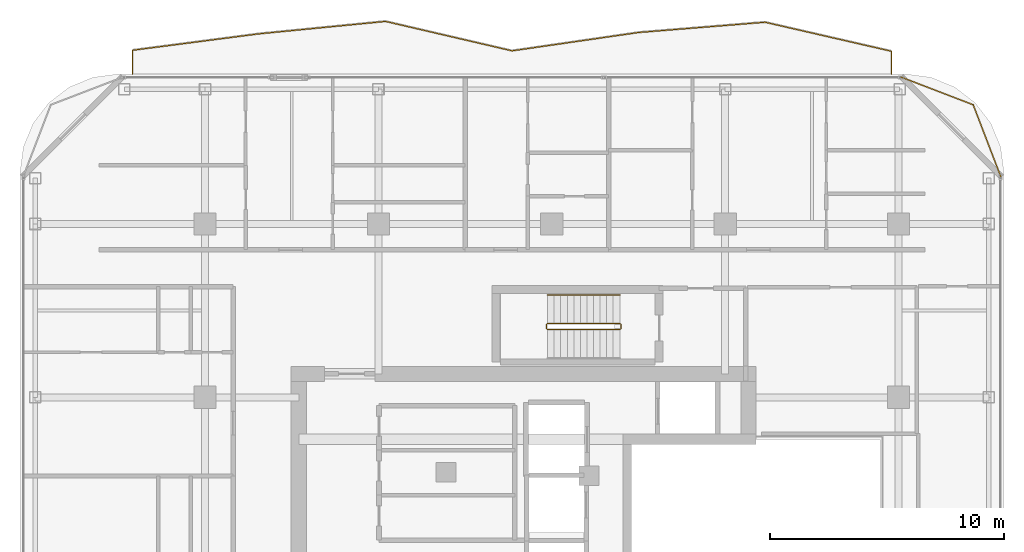
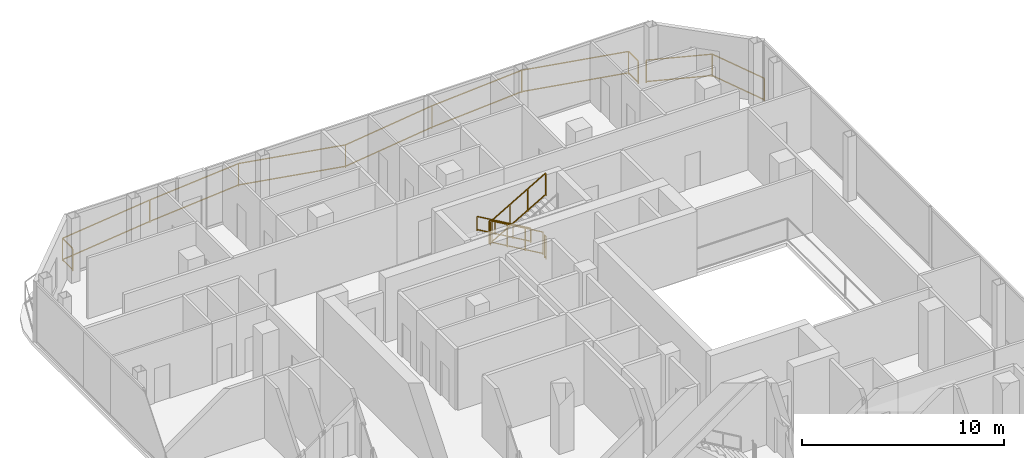
# One storey, part 23 of 23: 7 railings.
"""IFC4 building model written with IfcOpenShell, lengths in metres."""

from ifc_helpers import new_model, si_unit, direction, frame, origin, origin_2d, place, context, subcontext, project, spatial, rectangle, extrude, material, type_object, element, save


model = new_model("IFC4")

# Units and contexts
model_context = context("Model", 3, precision=1e-05, world=origin(), true_north=direction((0.0, 1.0)))
body_context = subcontext(model_context, "Body", "Model", "MODEL_VIEW")
ifc_project = project(units=[si_unit("LENGTHUNIT", "METRE"), si_unit("AREAUNIT", "SQUARE_METRE"), si_unit("VOLUMEUNIT", "CUBIC_METRE"), si_unit("PLANEANGLEUNIT", "RADIAN"), si_unit("MASSUNIT", "GRAM", prefix="KILO")], contexts=[model_context])

# Site, building, storey
site_placement = place(None, origin())
site = spatial("IfcSite", under=ifc_project, at=site_placement, CompositionType="ELEMENT")
building_placement = place(site_placement, origin())
building = spatial("IfcBuilding", under=site, at=building_placement, Name="Khorvyn Point Tower", CompositionType="ELEMENT")
storey_placement = place(building_placement, frame((0.0, 0.0, 293.699951171875)))
storey = spatial("IfcBuildingStorey", under=building, at=storey_placement, Name="L72", CompositionType="ELEMENT", Elevation=293.699951171875)

# Railings
ifc_material_1 = material(Name="Anodised aluminium 6063-T6 and laminated safety glass", Category="aluminium")
railing_type_1 = type_object("IfcRailingType", Name="Laminated Glass and Aluminium Balcony Guardrail 1400", PredefinedType="BALUSTRADE", material=ifc_material_1)
railing_1_placement = place(storey_placement, frame((19.17431640625, 16.78662109375, 0.0)))
element("IfcRailing", 1, at=railing_1_placement, inside=storey, type_object=railing_type_1, Name="L72 Rounded Corner Edge Guardrail NE", PredefinedType="BALUSTRADE", context=body_context, shape_type="SweptSolid", body=[
    extrude(rectangle(XDim=0.048095703125, YDim=0.048095703125, at=origin_2d()), frame((0.0, 0.0, 1.3759765625), z_axis=(-0.358328295484, 0.933595647299, 0.0), x_axis=(-0.933595647299, -0.358328295484, 0.0)), (0.0, 0.0, 1.0), 3.31884765625),
    extrude(rectangle(XDim=0.048095703125, YDim=0.048095703125, at=origin_2d()), frame((0.0, 0.0, 0.080078125), z_axis=(-0.358328295484, 0.933595647299, 0.0), x_axis=(-0.933595647299, -0.358328295484, 0.0)), (0.0, 0.0, 1.0), 3.31884765625),
    extrude(rectangle(XDim=0.048095703125, YDim=0.048095703125, at=origin_2d()), frame((-1.189208984375, 3.098388671875, 1.3759765625), z_axis=(-0.933580483903, 0.358367799998, 0.0), x_axis=(-0.358367799998, -0.933580483903, 0.0)), (0.0, 0.0, 1.0), 3.319091796875),
    extrude(rectangle(XDim=0.048095703125, YDim=0.048095703125, at=origin_2d()), frame((-1.189208984375, 3.098388671875, 0.080078125), z_axis=(-0.933580483903, 0.358367799998, 0.0), x_axis=(-0.358367799998, -0.933580483903, 0.0)), (0.0, 0.0, 1.0), 3.319091796875),
    extrude(rectangle(XDim=0.0419921875, YDim=0.0419921875, at=origin_2d()), origin(), (0.0, 0.0, 1.0), 1.351806640625),
    extrude(rectangle(XDim=0.0419921875, YDim=0.0419921875, at=origin_2d()), frame((-1.189208984375, 3.098388671875, 0.0)), (0.0, 0.0, 1.0), 1.351806640625),
    extrude(rectangle(XDim=0.0419921875, YDim=0.0419921875, at=origin_2d()), frame((-4.287841796875, 4.287841796875, 0.0)), (0.0, 0.0, 1.0), 1.351806640625),
])
railing_2_placement = place(storey_placement, frame((14.5, 21.199951171875, 0.0)))
element("IfcRailing", 2, at=railing_2_placement, inside=storey, type_object=railing_type_1, Name="L72 North Balcony Guardrail", PredefinedType="BALUSTRADE", context=body_context, shape_type="SweptSolid", body=[
    extrude(rectangle(XDim=0.048095703125, YDim=0.048095703125, at=origin_2d()), frame((0.0, 0.0, 1.3759765625), z_axis=(0.0, 1.0, 0.0), x_axis=(-1.0, 0.0, 0.0)), (0.0, 0.0, 1.0), 0.968017578125),
    extrude(rectangle(XDim=0.048095703125, YDim=0.048095703125, at=origin_2d()), frame((0.0, 0.0, 0.080078125), z_axis=(0.0, 1.0, 0.0), x_axis=(-1.0, 0.0, 0.0)), (0.0, 0.0, 1.0), 0.968017578125),
    extrude(rectangle(XDim=0.048095703125, YDim=0.048095703125, at=origin_2d()), frame((0.0, 0.968017578125, 1.3759765625), z_axis=(-0.974604637949, 0.223932578445, 0.0), x_axis=(-0.223932578445, -0.974604637949, 0.0)), (0.0, 0.0, 1.0), 5.54052734375),
    extrude(rectangle(XDim=0.048095703125, YDim=0.048095703125, at=origin_2d()), frame((0.0, 0.968017578125, 0.080078125), z_axis=(-0.974604637949, 0.223932578445, 0.0), x_axis=(-0.223932578445, -0.974604637949, 0.0)), (0.0, 0.0, 1.0), 5.54052734375),
    extrude(rectangle(XDim=0.048095703125, YDim=0.048095703125, at=origin_2d()), frame((-5.39990234375, 2.208740234375, 1.3759765625), z_axis=(-0.996730617582, -0.080796509667, 0.0), x_axis=(0.080796509667, -0.996730617582, 0.0)), (0.0, 0.0, 1.0), 5.41796875),
    extrude(rectangle(XDim=0.048095703125, YDim=0.048095703125, at=origin_2d()), frame((-5.39990234375, 2.208740234375, 0.080078125), z_axis=(-0.996730617582, -0.080796509667, 0.0), x_axis=(0.080796509667, -0.996730617582, 0.0)), (0.0, 0.0, 1.0), 5.41796875),
    extrude(rectangle(XDim=0.048095703125, YDim=0.048095703125, at=origin_2d()), frame((-10.800048828125, 1.77099609375, 1.3759765625), z_axis=(-0.989644760952, -0.143538312376, 0.0), x_axis=(0.143538312376, -0.989644760952, 0.0)), (0.0, 0.0, 1.0), 5.456298828125),
    extrude(rectangle(XDim=0.048095703125, YDim=0.048095703125, at=origin_2d()), frame((-10.800048828125, 1.77099609375, 0.080078125), z_axis=(-0.989644760952, -0.143538312376, 0.0), x_axis=(0.143538312376, -0.989644760952, 0.0)), (0.0, 0.0, 1.0), 5.456298828125),
    extrude(rectangle(XDim=0.048095703125, YDim=0.048095703125, at=origin_2d()), frame((-16.199951171875, 0.98779296875, 1.3759765625), z_axis=(-0.973988141336, 0.22659898618, 0.0), x_axis=(-0.22659898618, -0.973988141336, 0.0)), (0.0, 0.0, 1.0), 5.54443359375),
    extrude(rectangle(XDim=0.048095703125, YDim=0.048095703125, at=origin_2d()), frame((-16.199951171875, 0.98779296875, 0.080078125), z_axis=(-0.973988141336, 0.22659898618, 0.0), x_axis=(-0.22659898618, -0.973988141336, 0.0)), (0.0, 0.0, 1.0), 5.54443359375),
    extrude(rectangle(XDim=0.048095703125, YDim=0.048095703125, at=origin_2d()), frame((-21.60009765625, 2.244140625, 1.3759765625), z_axis=(-0.995221668741, -0.097641333808, 0.0), x_axis=(0.097641333808, -0.995221668741, 0.0)), (0.0, 0.0, 1.0), 5.42578125),
    extrude(rectangle(XDim=0.048095703125, YDim=0.048095703125, at=origin_2d()), frame((-21.60009765625, 2.244140625, 0.080078125), z_axis=(-0.995221668741, -0.097641333808, 0.0), x_axis=(0.097641333808, -0.995221668741, 0.0)), (0.0, 0.0, 1.0), 5.42578125),
    extrude(rectangle(XDim=0.048095703125, YDim=0.048095703125, at=origin_2d()), frame((-27.0, 1.71435546875, 1.3759765625), z_axis=(-0.991634626797, -0.129076593297, 0.0), x_axis=(0.129076593297, -0.991634626797, 0.0)), (0.0, 0.0, 1.0), 5.445556640625),
    extrude(rectangle(XDim=0.048095703125, YDim=0.048095703125, at=origin_2d()), frame((-27.0, 1.71435546875, 0.080078125), z_axis=(-0.991634626797, -0.129076593297, 0.0), x_axis=(0.129076593297, -0.991634626797, 0.0)), (0.0, 0.0, 1.0), 5.445556640625),
    extrude(rectangle(XDim=0.048095703125, YDim=0.048095703125, at=origin_2d()), frame((-32.39990234375, 1.011474609375, 1.3759765625), z_axis=(0.0, -1.0, 0.0), x_axis=(1.0, 0.0, 0.0)), (0.0, 0.0, 1.0), 1.011474609375),
    extrude(rectangle(XDim=0.048095703125, YDim=0.048095703125, at=origin_2d()), frame((-32.39990234375, 1.011474609375, 0.080078125), z_axis=(0.0, -1.0, 0.0), x_axis=(1.0, 0.0, 0.0)), (0.0, 0.0, 1.0), 1.011474609375),
    extrude(rectangle(XDim=0.0419921875, YDim=0.0419921875, at=origin_2d()), origin(), (0.0, 0.0, 1.0), 1.351806640625),
    extrude(rectangle(XDim=0.0419921875, YDim=0.0419921875, at=origin_2d()), frame((0.0, 0.968017578125, 0.0)), (0.0, 0.0, 1.0), 1.351806640625),
    extrude(rectangle(XDim=0.0419921875, YDim=0.0419921875, at=origin_2d()), frame((-5.39990234375, 2.208740234375, 0.0)), (0.0, 0.0, 1.0), 1.351806640625),
    extrude(rectangle(XDim=0.0419921875, YDim=0.0419921875, at=origin_2d()), frame((-10.800048828125, 1.77099609375, 0.0)), (0.0, 0.0, 1.0), 1.351806640625),
    extrude(rectangle(XDim=0.0419921875, YDim=0.0419921875, at=origin_2d()), frame((-16.199951171875, 0.98779296875, 0.0)), (0.0, 0.0, 1.0), 1.351806640625),
    extrude(rectangle(XDim=0.0419921875, YDim=0.0419921875, at=origin_2d()), frame((-21.60009765625, 2.244140625, 0.0)), (0.0, 0.0, 1.0), 1.351806640625),
    extrude(rectangle(XDim=0.0419921875, YDim=0.0419921875, at=origin_2d()), frame((-27.0, 1.71435546875, 0.0)), (0.0, 0.0, 1.0), 1.351806640625),
    extrude(rectangle(XDim=0.0419921875, YDim=0.0419921875, at=origin_2d()), frame((-32.39990234375, 1.011474609375, 0.0)), (0.0, 0.0, 1.0), 1.351806640625),
    extrude(rectangle(XDim=0.0419921875, YDim=0.0419921875, at=origin_2d()), frame((-32.39990234375, 0.0, 0.0)), (0.0, 0.0, 1.0), 1.351806640625),
])
ifc_material_2 = material(Name="Stainless steel 1.4301", Category="steel")
railing_type_2 = type_object("IfcRailingType", Name="Stainless Steel 304 Stair Pitch Handrail 900", PredefinedType="HANDRAIL", material=ifc_material_2)
railing_3_placement = place(storey_placement, frame((2.89990234375, 11.77001953125, 0.16259765625)))
element("IfcRailing", 3, at=railing_3_placement, inside=storey, type_object=railing_type_2, Name="L72 ST-02 stair handrail 1", PredefinedType="HANDRAIL", context=body_context, shape_type="SweptSolid", body=[
    extrude(rectangle(XDim=0.048095703125, YDim=0.048095703125, at=origin_2d()), frame((0.0, 0.0, 0.8759765625), z_axis=(-0.864903211148, 0.0, 0.501938676878), x_axis=(0.0, -1.0, 0.0)), (0.0, 0.0, 1.0), 3.560791015625),
    extrude(rectangle(XDim=0.048095703125, YDim=0.048095703125, at=origin_2d()), frame((0.0, 0.0, 0.080078125), z_axis=(-0.864903211148, 0.0, 0.501938676878), x_axis=(0.0, -1.0, 0.0)), (0.0, 0.0, 1.0), 3.560791015625),
    extrude(rectangle(XDim=0.0419921875, YDim=0.0419921875, at=origin_2d()), origin(), (0.0, 0.0, 1.0), 0.851806640625),
    extrude(rectangle(XDim=0.0419921875, YDim=0.0419921875, at=origin_2d()), frame((-1.026611328125, 0.0, 0.595703125)), (0.0, 0.0, 1.0), 0.851806640625),
    extrude(rectangle(XDim=0.0419921875, YDim=0.0419921875, at=origin_2d()), frame((-2.05322265625, 0.0, 1.191650390625)), (0.0, 0.0, 1.0), 0.851806640625),
    extrude(rectangle(XDim=0.0419921875, YDim=0.0419921875, at=origin_2d()), frame((-3.079833984375, 0.0, 1.787353515625)), (0.0, 0.0, 1.0), 0.851806640625),
])
railing_type_3 = type_object("IfcRailingType", Name="Stainless Steel 304 Stair Well Guardrail 1400", PredefinedType="GUARDRAIL", material=ifc_material_2)
railing_4_placement = place(storey_placement, frame((2.89990234375, 10.550048828125, 0.16259765625)))
element("IfcRailing", 4, at=railing_4_placement, inside=storey, type_object=railing_type_3, Name="L72 ST-02 stair guard 1", PredefinedType="GUARDRAIL", context=body_context, shape_type="SweptSolid", body=[
    extrude(rectangle(XDim=0.048095703125, YDim=0.048095703125, at=origin_2d()), frame((0.0, 0.0, 1.3759765625), z_axis=(-0.864903211148, 0.0, 0.501938676878), x_axis=(0.0, -1.0, 0.0)), (0.0, 0.0, 1.0), 3.560791015625),
    extrude(rectangle(XDim=0.048095703125, YDim=0.048095703125, at=origin_2d()), frame((0.0, 0.0, 0.080078125), z_axis=(-0.864903211148, 0.0, 0.501938676878), x_axis=(0.0, -1.0, 0.0)), (0.0, 0.0, 1.0), 3.560791015625),
    extrude(rectangle(XDim=0.0419921875, YDim=0.0419921875, at=origin_2d()), origin(), (0.0, 0.0, 1.0), 1.351806640625),
    extrude(rectangle(XDim=0.0419921875, YDim=0.0419921875, at=origin_2d()), frame((-1.026611328125, 0.0, 0.595703125)), (0.0, 0.0, 1.0), 1.351806640625),
    extrude(rectangle(XDim=0.0419921875, YDim=0.0419921875, at=origin_2d()), frame((-2.05322265625, 0.0, 1.191650390625)), (0.0, 0.0, 1.0), 1.351806640625),
    extrude(rectangle(XDim=0.0419921875, YDim=0.0419921875, at=origin_2d()), frame((-3.079833984375, 0.0, 1.787353515625)), (0.0, 0.0, 1.0), 1.351806640625),
])
railing_5_placement = place(storey_placement, frame((-0.22998046875, 10.5, 1.949951171875)))
element("IfcRailing", 5, at=railing_5_placement, inside=storey, type_object=railing_type_3, Name="L72 ST-02 stair guard 2", PredefinedType="GUARDRAIL", context=body_context, shape_type="SweptSolid", body=[
    extrude(rectangle(XDim=0.048095703125, YDim=0.048095703125, at=origin_2d()), frame((0.0, 0.0, 1.3759765625), z_axis=(0.0, -1.0, 0.0), x_axis=(1.0, 0.0, 0.0)), (0.0, 0.0, 1.0), 0.159912109375),
    extrude(rectangle(XDim=0.048095703125, YDim=0.048095703125, at=origin_2d()), frame((0.0, 0.0, 0.080078125), z_axis=(0.0, -1.0, 0.0), x_axis=(1.0, 0.0, 0.0)), (0.0, 0.0, 1.0), 0.159912109375),
    extrude(rectangle(XDim=0.0419921875, YDim=0.0419921875, at=origin_2d()), origin(), (0.0, 0.0, 1.0), 1.351806640625),
    extrude(rectangle(XDim=0.0419921875, YDim=0.0419921875, at=origin_2d()), frame((0.0, -0.159912109375, 0.0)), (0.0, 0.0, 1.0), 1.351806640625),
])
railing_6_placement = place(storey_placement, frame((-0.179931640625, 10.2900390625, 2.112548828125)))
element("IfcRailing", 6, at=railing_6_placement, inside=storey, type_object=railing_type_3, Name="L72 ST-02 stair guard 3", PredefinedType="GUARDRAIL", context=body_context, shape_type="SweptSolid", body=[
    extrude(rectangle(XDim=0.048095703125, YDim=0.048095703125, at=origin_2d()), frame((0.0, 0.0, 1.3759765625), z_axis=(0.864873446163, 0.0, 0.501989962173), x_axis=(0.0, 1.0, 0.0)), (0.0, 0.0, 1.0), 3.56103515625),
    extrude(rectangle(XDim=0.048095703125, YDim=0.048095703125, at=origin_2d()), frame((0.0, 0.0, 0.080078125), z_axis=(0.864873446163, 0.0, 0.501989962173), x_axis=(0.0, 1.0, 0.0)), (0.0, 0.0, 1.0), 3.56103515625),
    extrude(rectangle(XDim=0.0419921875, YDim=0.0419921875, at=origin_2d()), origin(), (0.0, 0.0, 1.0), 1.351806640625),
    extrude(rectangle(XDim=0.0419921875, YDim=0.0419921875, at=origin_2d()), frame((1.026611328125, 0.0, 0.595947265625)), (0.0, 0.0, 1.0), 1.351806640625),
    extrude(rectangle(XDim=0.0419921875, YDim=0.0419921875, at=origin_2d()), frame((2.05322265625, 0.0, 1.191650390625)), (0.0, 0.0, 1.0), 1.351806640625),
    extrude(rectangle(XDim=0.0419921875, YDim=0.0419921875, at=origin_2d()), frame((3.079833984375, 0.0, 1.78759765625)), (0.0, 0.0, 1.0), 1.351806640625),
])
railing_7_placement = place(storey_placement, frame((2.949951171875, 10.5, 0.0)))
element("IfcRailing", 7, at=railing_7_placement, inside=storey, type_object=railing_type_3, Name="L72 ST-02 stair guard 4", PredefinedType="GUARDRAIL", context=body_context, shape_type="SweptSolid", body=[
    extrude(rectangle(XDim=0.048095703125, YDim=0.048095703125, at=origin_2d()), frame((0.0, 0.0, 1.3759765625), z_axis=(0.0, -1.0, 0.0), x_axis=(1.0, 0.0, 0.0)), (0.0, 0.0, 1.0), 0.159912109375),
    extrude(rectangle(XDim=0.048095703125, YDim=0.048095703125, at=origin_2d()), frame((0.0, 0.0, 0.080078125), z_axis=(0.0, -1.0, 0.0), x_axis=(1.0, 0.0, 0.0)), (0.0, 0.0, 1.0), 0.159912109375),
    extrude(rectangle(XDim=0.0419921875, YDim=0.0419921875, at=origin_2d()), origin(), (0.0, 0.0, 1.0), 1.351806640625),
    extrude(rectangle(XDim=0.0419921875, YDim=0.0419921875, at=origin_2d()), frame((0.0, -0.159912109375, 0.0)), (0.0, 0.0, 1.0), 1.351806640625),
])

save(model, "model.ifc")
